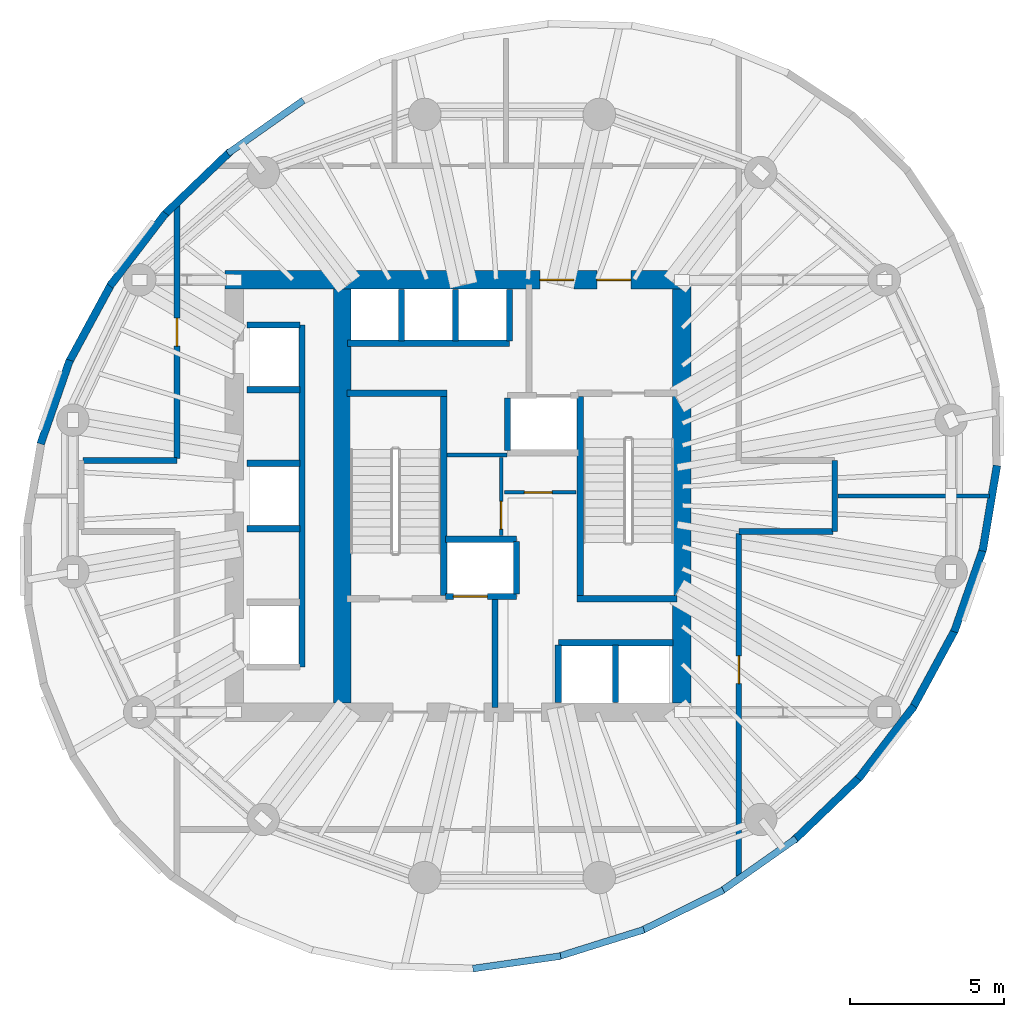
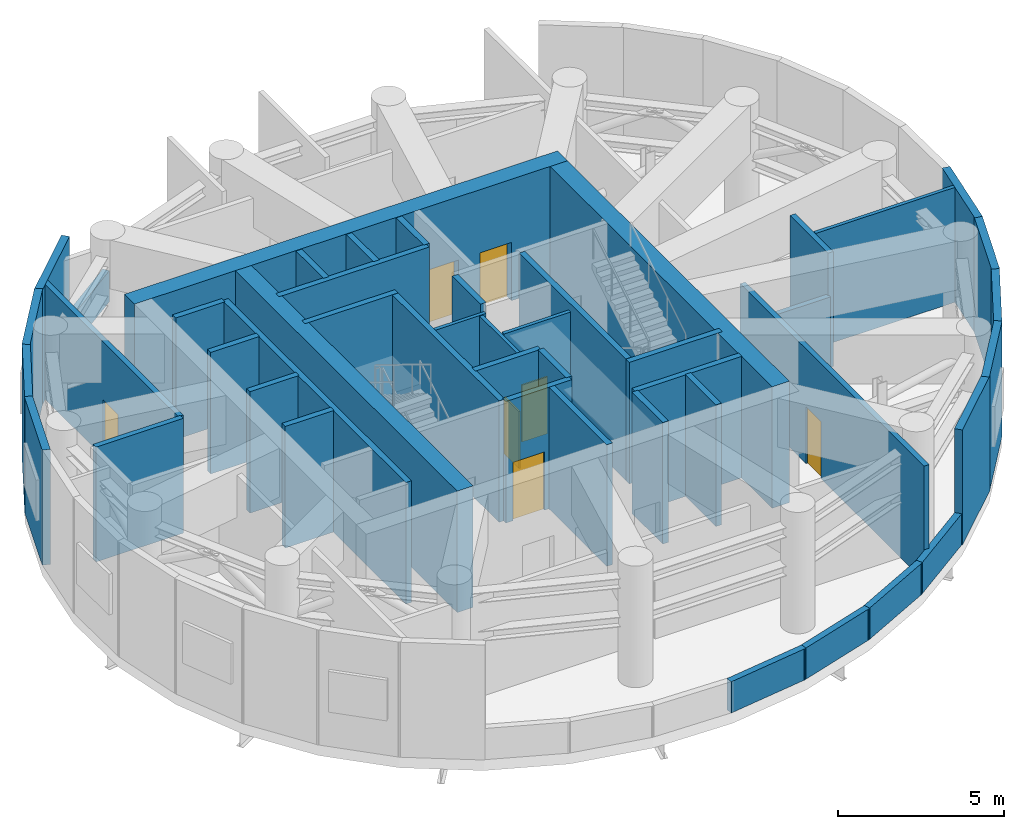
# One storey, part 5 of 8: 47 walls, 7 doors, 7 openings.
"""IFC4 building model written with IfcOpenShell, lengths in metres."""

from ifc_helpers import new_model, si_unit, direction, frame, frame_2d, origin, place, context, subcontext, project, spatial, rectangle, extrude, material, layer, layer_set, type_object, element, fill, save


model = new_model("IFC4")

# Units and contexts
model_context = context("Model", 3, precision=1e-05, world=origin(), true_north=direction((0.0, 1.0)))
body_context = subcontext(model_context, "Body", "Model", "MODEL_VIEW")
ifc_project = project(units=[si_unit("LENGTHUNIT", "METRE"), si_unit("AREAUNIT", "SQUARE_METRE"), si_unit("VOLUMEUNIT", "CUBIC_METRE"), si_unit("PLANEANGLEUNIT", "RADIAN"), si_unit("MASSUNIT", "GRAM", prefix="KILO")], contexts=[model_context])

# Site, building, storey
site_placement = place(None, origin())
site = spatial("IfcSite", under=ifc_project, at=site_placement, CompositionType="ELEMENT")
building_placement = place(site_placement, origin())
building = spatial("IfcBuilding", under=site, at=building_placement, Name="Veldorim Arch Residences", CompositionType="ELEMENT")
storey_placement = place(building_placement, frame((0.0, 0.0, 158.56005859375)))
storey = spatial("IfcBuildingStorey", under=building, at=storey_placement, Name="L47", CompositionType="ELEMENT", Elevation=158.56005859375)

# Wall, opening, door
ifc_material_1 = material(Name="Acoustic Gypsum Board", Category="gypsum")
ifc_layer_1 = layer(ifc_material_1, 0.125, Name="Acoustic Stud Room Partition Wall 125")
ifc_layer_set_1 = layer_set([ifc_layer_1], Name="Acoustic Gypsum Board")
wall_type_1 = type_object("IfcWallType", Name="Acoustic Stud Room Partition Wall 125", PredefinedType="PARTITIONING", material=ifc_layer_set_1)
wall_1_placement = place(storey_placement, frame((31.64990234375, 22.719970703125, 0.0), z_axis=(0.0, 0.0, 1.0), x_axis=(0.0, 1.0, 0.0)))
wall_1 = element("IfcWall", 1, at=wall_1_placement, inside=storey, type_object=wall_type_1, Name="L47 interior wall WL-CA-L47-1", PredefinedType="PARTITIONING", context=body_context, shape_type="SweptSolid", body=[
    extrude(rectangle(XDim=2.52001953125, YDim=0.125, at=frame_2d((1.260009765625, 0.0))), origin(), (0.0, 0.0, 1.0), 4.23486328125),
])
opening_1_placement = place(wall_1_placement, frame((0.2099609375, 0.0, 0.0)))
opening_1 = element("IfcOpeningElement", 2, at=opening_1_placement, cuts=wall_1, Name="Opening DR-SVC", PredefinedType="OPENING", context=body_context, shape_type="SweptSolid", body=[
    extrude(rectangle(XDim=0.89990234375, YDim=2.10009765625, at=frame_2d((0.449951171875, 1.050048828125))), frame((0.0, 0.072509765625, 0.0), z_axis=(0.0, -1.0, 0.0), x_axis=(1.0, 0.0, 0.0)), (0.0, 0.0, 1.0), 0.14501953125),
])
ifc_material_2 = material(Name="Fire-Rated Steel", Category="steel")
door_type_1 = type_object("IfcDoorType", Name="Riser, Shelter & Plant Room Rated Steel Door 900x2100", OperationType="SINGLE_SWING_LEFT", PredefinedType="DOOR", material=ifc_material_2)
door_1_placement = place(opening_1_placement, origin())
door_1 = element("IfcDoor", 3, at=door_1_placement, inside=storey, type_object=door_type_1, Name="L47 interior door DR-L47-CA1", OperationType="SINGLE_SWING_LEFT", OverallHeight=2.10009765625, OverallWidth=0.89990234375, PredefinedType="DOOR", context=body_context, shape_type="SweptSolid", body=[
    extrude(rectangle(XDim=0.89990234375, YDim=2.10009765625, at=frame_2d((0.449951171875, 1.050048828125))), frame((0.0, 0.02490234375, 0.0), z_axis=(0.0, -1.0, 0.0), x_axis=(1.0, 0.0, 0.0)), (0.0, 0.0, 1.0), 0.050048828125),
])
fill(opening_1, door_1)

wall_2_placement = place(storey_placement, frame((31.760009765625, 24.1201171875, 0.0), z_axis=(0.0, 0.0, 1.0), x_axis=(1.0, 0.0, 0.0)))
wall_2 = element("IfcWall", 4, at=wall_2_placement, inside=storey, type_object=wall_type_1, Name="L47 interior wall WL-CA-L47-2", PredefinedType="PARTITIONING", context=body_context, shape_type="SweptSolid", body=[
    extrude(rectangle(XDim=2.320068359375, YDim=0.125, at=frame_2d((1.16015625, 0.0))), origin(), (0.0, 0.0, 1.0), 4.23486328125),
])
opening_2_placement = place(wall_2_placement, frame((0.639892578125, 0.0, 0.0)))
opening_2 = element("IfcOpeningElement", 5, at=opening_2_placement, cuts=wall_2, Name="Opening DR-SVC", PredefinedType="OPENING", context=body_context, shape_type="SweptSolid", body=[
    extrude(rectangle(XDim=0.89990234375, YDim=2.10009765625, at=frame_2d((0.449951171875, 1.050048828125))), frame((0.0, 0.072509765625, 0.0), z_axis=(0.0, -1.0, 0.0), x_axis=(1.0, 0.0, 0.0)), (0.0, 0.0, 1.0), 0.14501953125),
])
door_2_placement = place(opening_2_placement, origin())
door_2 = element("IfcDoor", 6, at=door_2_placement, inside=storey, type_object=door_type_1, Name="L47 interior door DR-L47-CA2", OperationType="SINGLE_SWING_RIGHT", OverallHeight=2.10009765625, OverallWidth=0.89990234375, PredefinedType="DOOR", context=body_context, shape_type="SweptSolid", body=[
    extrude(rectangle(XDim=0.89990234375, YDim=2.10009765625, at=frame_2d((0.449951171875, 1.050048828125))), frame((0.0, 0.02490234375, 0.0), z_axis=(0.0, -1.0, 0.0), x_axis=(1.0, 0.0, 0.0)), (0.0, 0.0, 1.0), 0.050048828125),
])
fill(opening_2, door_2)

# Walls
wall_3_placement = place(storey_placement, frame((29.889892578125, 25.330078125, 0.0), z_axis=(0.0, 0.0, 1.0), x_axis=(1.0, 0.0, 0.0)))
element("IfcWall", 7, at=wall_3_placement, inside=storey, type_object=wall_type_1, Name="L47 interior wall WL-CA-L47-N", PredefinedType="PARTITIONING", context=body_context, shape_type="SweptSolid", body=[
    extrude(rectangle(XDim=1.940185546875, YDim=0.125, at=frame_2d((0.97021484375, 0.0))), origin(), (0.0, 0.0, 1.0), 4.23486328125),
])
wall_4_placement = place(storey_placement, frame((42.550048828125, 24.0, 0.0), z_axis=(0.0, 0.0, 1.0), x_axis=(1.0, 0.0, 0.0)))
element("IfcWall", 8, at=wall_4_placement, inside=storey, type_object=wall_type_1, Name="L47 interior wall WL-PLT-L47-016", PredefinedType="PARTITIONING", context=body_context, shape_type="SweptSolid", body=[
    extrude(rectangle(XDim=4.919921875, YDim=0.125, at=frame_2d((2.4599609375, 0.0))), origin(), (0.0, 0.0, 1.0), 4.23486328125),
])
ifc_material_3 = material(Name="Lightweight Masonry Block & Gypsum", Category="masonry")
ifc_layer_2 = layer(ifc_material_3, 0.179931640625, Name="Compartment & Corridor Fire-Rated Party Wall 180")
ifc_layer_set_2 = layer_set([ifc_layer_2], Name="Lightweight Masonry Block & Gypsum")
wall_type_2 = type_object("IfcWallType", Name="Compartment & Corridor Fire-Rated Party Wall 180", PredefinedType="PARTITIONING", material=ifc_layer_set_2)
wall_5_placement = place(storey_placement, frame((18.110107421875, 25.14990234375, 0.0), z_axis=(0.0, 0.0, 1.0), x_axis=(1.0, 0.0, 0.0)))
element("IfcWall", 9, at=wall_5_placement, inside=storey, type_object=wall_type_2, Name="L47 interior wall WL-PLT-L47-006", PredefinedType="PARTITIONING", context=body_context, shape_type="SweptSolid", body=[
    extrude(rectangle(XDim=3.039794921875, YDim=0.179931640625, at=frame_2d((1.52001953125, 0.0))), origin(), (0.0, 0.0, 1.0), 4.23486328125),
])

# Wall, opening, door
wall_6_placement = place(storey_placement, frame((21.14990234375, 25.2099609375, 0.0), z_axis=(0.0, 0.0, 1.0), x_axis=(0.0, 1.0, 0.0)))
wall_6 = element("IfcWall", 10, at=wall_6_placement, inside=storey, type_object=wall_type_2, Name="L47 interior wall WL-PLT-L47-007", PredefinedType="PARTITIONING", context=body_context, shape_type="SweptSolid", body=[
    extrude(rectangle(XDim=8.194580078125, YDim=0.179931640625, at=frame_2d((4.09716796875, 0.0))), origin(), (0.0, 0.0, 1.0), 4.23486328125),
])
opening_3_placement = place(wall_6_placement, frame((3.647216796875, 0.0, 0.0)))
opening_3 = element("IfcOpeningElement", 11, at=opening_3_placement, cuts=wall_6, Name="Opening DR-SVC", PredefinedType="OPENING", context=body_context, shape_type="SweptSolid", body=[
    extrude(rectangle(XDim=0.89990234375, YDim=2.10009765625, at=frame_2d((0.449951171875, 1.050048828125))), frame((0.0, 0.099853515625, 0.0), z_axis=(0.0, -1.0, 0.0), x_axis=(1.0, 0.0, 0.0)), (0.0, 0.0, 1.0), 0.199951171875),
])
door_3_placement = place(opening_3_placement, origin())
door_3 = element("IfcDoor", 12, at=door_3_placement, inside=storey, type_object=door_type_1, Name="L47 interior door DR-PLT-L47-006", OperationType="SINGLE_SWING_RIGHT", OverallHeight=2.10009765625, OverallWidth=0.89990234375, PredefinedType="DOOR", context=body_context, shape_type="SweptSolid", body=[
    extrude(rectangle(XDim=0.89990234375, YDim=2.10009765625, at=frame_2d((0.449951171875, 1.050048828125))), frame((0.0, 0.02490234375, 0.0), z_axis=(0.0, -1.0, 0.0), x_axis=(1.0, 0.0, 0.0)), (0.0, 0.0, 1.0), 0.050048828125),
])
fill(opening_3, door_3)

# Walls
wall_7_placement = place(storey_placement, frame((42.449951171875, 25.14990234375, 0.0), z_axis=(0.0, 0.0, 1.0), x_axis=(0.0, -1.0, 0.0)))
element("IfcWall", 13, at=wall_7_placement, inside=storey, type_object=wall_type_2, Name="L47 interior wall WL-PLT-L47-008", PredefinedType="PARTITIONING", context=body_context, shape_type="SweptSolid", body=[
    extrude(rectangle(XDim=2.2998046875, YDim=0.179931640625, at=frame_2d((1.14990234375, 0.0))), origin(), (0.0, 0.0, 1.0), 4.23486328125),
])
wall_8_placement = place(storey_placement, frame((42.389892578125, 22.85009765625, 0.0), z_axis=(0.0, 0.0, 1.0), x_axis=(-1.0, 0.0, 0.0)))
element("IfcWall", 14, at=wall_8_placement, inside=storey, type_object=wall_type_2, Name="L47 interior wall WL-PLT-L47-009", PredefinedType="PARTITIONING", context=body_context, shape_type="SweptSolid", body=[
    extrude(rectangle(XDim=3.039794921875, YDim=0.179931640625, at=frame_2d((1.52001953125, 0.0))), origin(), (0.0, 0.0, 1.0), 2.66796875),
])

# Wall, opening, door
wall_9_placement = place(storey_placement, frame((39.35009765625, 22.7900390625, 0.0), z_axis=(0.0, 0.0, 1.0), x_axis=(0.0, -1.0, 0.0)))
wall_9 = element("IfcWall", 15, at=wall_9_placement, inside=storey, type_object=wall_type_2, Name="L47 interior wall WL-PLT-L47-010", PredefinedType="PARTITIONING", context=body_context, shape_type="SweptSolid", body=[
    extrude(rectangle(XDim=11.101318359375, YDim=0.179931640625, at=frame_2d((5.55078125, 0.0))), origin(), (0.0, 0.0, 1.0), 4.23486328125),
])
opening_4_placement = place(wall_9_placement, frame((3.965087890625, 0.0, 0.0)))
opening_4 = element("IfcOpeningElement", 16, at=opening_4_placement, cuts=wall_9, Name="Opening DR-SVC", PredefinedType="OPENING", context=body_context, shape_type="SweptSolid", body=[
    extrude(rectangle(XDim=0.89990234375, YDim=2.10009765625, at=frame_2d((0.449951171875, 1.050048828125))), frame((0.0, 0.099853515625, 0.0), z_axis=(0.0, -1.0, 0.0), x_axis=(1.0, 0.0, 0.0)), (0.0, 0.0, 1.0), 0.199951171875),
])
door_4_placement = place(opening_4_placement, origin())
door_4 = element("IfcDoor", 17, at=door_4_placement, inside=storey, type_object=door_type_1, Name="L47 interior door DR-PLT-L47-007", OperationType="SINGLE_SWING_LEFT", OverallHeight=2.10009765625, OverallWidth=0.89990234375, PredefinedType="DOOR", context=body_context, shape_type="SweptSolid", body=[
    extrude(rectangle(XDim=0.89990234375, YDim=2.10009765625, at=frame_2d((0.449951171875, 1.050048828125))), frame((0.0, 0.02490234375, 0.0), z_axis=(0.0, -1.0, 0.0), x_axis=(1.0, 0.0, 0.0)), (0.0, 0.0, 1.0), 0.050048828125),
])
fill(opening_4, door_4)

# Walls
ifc_material_4 = material(Name="Concrete C50/60", Category="concrete")
ifc_layer_3 = layer(ifc_material_4, 0.199951171875, Name="Core Stair & Lift Shaft Enclosure Wall 200")
ifc_layer_set_3 = layer_set([ifc_layer_3], Name="Concrete C50/60")
wall_type_3 = type_object("IfcWallType", Name="Core Stair & Lift Shaft Enclosure Wall 200", PredefinedType="SHEAR", material=ifc_layer_set_3)
wall_10_placement = place(storey_placement, frame((29.7900390625, 20.780029296875, 0.0), z_axis=(0.0, 0.0, 1.0), x_axis=(0.0, 1.0, 0.0)))
element("IfcWall", 18, at=wall_10_placement, inside=storey, type_object=wall_type_3, Name="L47 shaft wall WL-SHF-L47-ST1-E", PredefinedType="SHEAR", context=body_context, shape_type="SweptSolid", body=[
    extrude(rectangle(XDim=6.43994140625, YDim=0.199951171875, at=frame_2d((3.219970703125, 0.0))), origin(), (0.0, 0.0, 1.0), 4.47998046875),
])
wall_11_placement = place(storey_placement, frame((26.64990234375, 27.330078125, 0.0), z_axis=(0.0, 0.0, 1.0), x_axis=(1.0, 0.0, 0.0)))
element("IfcWall", 19, at=wall_11_placement, inside=storey, type_object=wall_type_3, Name="L47 shaft wall WL-SHF-L47-ST1-N", PredefinedType="SHEAR", context=body_context, shape_type="SweptSolid", body=[
    extrude(rectangle(XDim=3.239990234375, YDim=0.199951171875, at=frame_2d((1.6201171875, 0.0))), origin(), (0.0, 0.0, 1.0), 4.47998046875),
])
wall_12_placement = place(storey_placement, frame((34.2099609375, 20.780029296875, 0.0), z_axis=(0.0, 0.0, 1.0), x_axis=(0.0, 1.0, 0.0)))
element("IfcWall", 20, at=wall_12_placement, inside=storey, type_object=wall_type_3, Name="L47 shaft wall WL-SHF-L47-ST2-W", PredefinedType="SHEAR", context=body_context, shape_type="SweptSolid", body=[
    extrude(rectangle(XDim=6.43994140625, YDim=0.199951171875, at=frame_2d((3.219970703125, 0.0))), origin(), (0.0, 0.0, 1.0), 4.47998046875),
])
wall_13_placement = place(storey_placement, frame((34.110107421875, 20.669921875, 0.0), z_axis=(0.0, 0.0, 1.0), x_axis=(1.0, 0.0, 0.0)))
element("IfcWall", 21, at=wall_13_placement, inside=storey, type_object=wall_type_3, Name="L47 shaft wall WL-SHF-L47-ST2-S", PredefinedType="SHEAR", context=body_context, shape_type="SweptSolid", body=[
    extrude(rectangle(XDim=3.239990234375, YDim=0.199951171875, at=frame_2d((1.6201171875, 0.0))), origin(), (0.0, 0.0, 1.0), 4.47998046875),
])
wall_14_placement = place(storey_placement, frame((31.449951171875, 17.14990234375, 0.0), z_axis=(0.0, 0.0, 1.0), x_axis=(0.0, 1.0, 0.0)))
element("IfcWall", 22, at=wall_14_placement, inside=storey, type_object=wall_type_3, Name="L47 shaft wall WL-FFL1-L47-E", PredefinedType="SHEAR", context=body_context, shape_type="SweptSolid", body=[
    extrude(rectangle(XDim=3.5, YDim=0.199951171875, at=frame_2d((1.75, 0.0))), origin(), (0.0, 0.0, 1.0), 4.47998046875),
])

# Wall, opening, door
wall_15_placement = place(storey_placement, frame((29.85009765625, 20.75, 0.0), z_axis=(0.0, 0.0, 1.0), x_axis=(1.0, 0.0, 0.0)))
wall_15 = element("IfcWall", 23, at=wall_15_placement, inside=storey, type_object=wall_type_3, Name="L47 shaft wall WL-FL01-L47-S", PredefinedType="SHEAR", context=body_context, shape_type="SweptSolid", body=[
    extrude(rectangle(XDim=2.2998046875, YDim=0.199951171875, at=frame_2d((1.14990234375, 0.0))), origin(), (0.0, 0.0, 1.0), 4.47998046875),
])
opening_5_placement = place(wall_15_placement, frame((0.25, 0.0, 0.0)))
opening_5 = element("IfcOpeningElement", 24, at=opening_5_placement, cuts=wall_15, Name="Opening LD-FF", PredefinedType="OPENING", context=body_context, shape_type="SweptSolid", body=[
    extrude(rectangle(XDim=1.10009765625, YDim=2.14990234375, at=frame_2d((0.550048828125, 1.074951171875))), frame((0.0, 0.10986328125, 0.0), z_axis=(0.0, -1.0, 0.0), x_axis=(1.0, 0.0, 0.0)), (0.0, 0.0, 1.0), 0.219970703125),
])
ifc_material_5 = material(Name="Stainless Steel", Category="steel")
door_type_2 = type_object("IfcDoorType", Name="Firefighting Lift Bi-Parting Sliding Landing Door 1100x2150", OperationType="DOUBLE_DOOR_SLIDING", PredefinedType="DOOR", material=ifc_material_5)
door_5_placement = place(opening_5_placement, origin())
door_5 = element("IfcDoor", 25, at=door_5_placement, inside=storey, type_object=door_type_2, Name="L47 lift landing door LD-L47-FL01", OperationType="DOUBLE_DOOR_SLIDING", OverallHeight=2.14990234375, OverallWidth=1.10009765625, PredefinedType="DOOR", context=body_context, shape_type="SweptSolid", body=[
    extrude(rectangle(XDim=1.10009765625, YDim=2.14990234375, at=frame_2d((0.550048828125, 1.074951171875))), frame((0.0, 0.02490234375, 0.0), z_axis=(0.0, -1.0, 0.0), x_axis=(1.0, 0.0, 0.0)), (0.0, 0.0, 1.0), 0.050048828125),
])
fill(opening_5, door_5)

# Walls
wall_16_placement = place(storey_placement, frame((29.85009765625, 22.60009765625, 0.0), z_axis=(0.0, 0.0, 1.0), x_axis=(1.0, 0.0, 0.0)))
element("IfcWall", 26, at=wall_16_placement, inside=storey, type_object=wall_type_3, Name="L47 shaft wall WL-FL01-L47-N", PredefinedType="SHEAR", context=body_context, shape_type="SweptSolid", body=[
    extrude(rectangle(XDim=2.2998046875, YDim=0.199951171875, at=frame_2d((1.14990234375, 0.0))), origin(), (0.0, 0.0, 1.0), 4.47998046875),
])
for number, where, z_axis, x_axis, name in (
    (27, (32.14990234375, 20.820068359375, 0.0), (0.0, 0.0, 1.0), (0.0, 1.0, 0.0), "L47 shaft wall WL-FL01-L47-E"),
    (28, (31.85009765625, 25.469970703125, 0.0), (0.0, 0.0, 1.0), (0.0, 1.0, 0.0), "L47 shaft wall WL-FL02-L47-W"),
):
    element("IfcWall", number, at=place(storey_placement, frame(where, z_axis=z_axis, x_axis=x_axis)), inside=storey, type_object=wall_type_3, Name=name, PredefinedType="SHEAR", context=body_context, shape_type="SweptSolid", body=[
        extrude(rectangle(XDim=1.7099609375, YDim=0.199951171875, at=frame_2d((0.85498046875, 0.0))), origin(), (0.0, 0.0, 1.0), 4.47998046875),
    ])
wall_17_placement = place(storey_placement, frame((25.199951171875, 18.4599609375, 0.0), z_axis=(0.0, 0.0, 1.0), x_axis=(0.0, 1.0, 0.0)))
element("IfcWall", 29, at=wall_17_placement, inside=storey, type_object=wall_type_3, Name="L47 shaft wall WL-B2-L47-E", PredefinedType="SHEAR", context=body_context, shape_type="SweptSolid", body=[
    extrude(rectangle(XDim=11.080078125, YDim=0.199951171875, at=frame_2d((5.5400390625, 0.0))), origin(), (0.0, 0.0, 1.0), 4.47998046875),
])
for number, where, z_axis, x_axis, name in (
    (30, (23.419921875, 29.5400390625, 0.0), (0.0, 0.0, 1.0), (1.0, 0.0, 0.0), "L47 shaft wall WL-B2-L47-N"),
    (31, (23.419921875, 22.93994140625, 0.0), (0.0, 0.0, 1.0), (1.0, 0.0, 0.0), "L47 shaft wall WL-B2-L47-D1B"),
    (32, (23.419921875, 25.06005859375, 0.0), (0.0, 0.0, 1.0), (1.0, 0.0, 0.0), "L47 shaft wall WL-B2-L47-D2A"),
    (33, (23.419921875, 27.43994140625, 0.0), (0.0, 0.0, 1.0), (1.0, 0.0, 0.0), "L47 shaft wall WL-B2-L47-D2B"),
):
    element("IfcWall", number, at=place(storey_placement, frame(where, z_axis=z_axis, x_axis=x_axis)), inside=storey, type_object=wall_type_3, Name=name, PredefinedType="SHEAR", context=body_context, shape_type="SweptSolid", body=[
        extrude(rectangle(XDim=1.7099609375, YDim=0.199951171875, at=frame_2d((0.85498046875, 0.0))), origin(), (0.0, 0.0, 1.0), 4.47998046875),
    ])
wall_18_placement = place(storey_placement, frame((26.679931640625, 28.949951171875, 0.0), z_axis=(0.0, 0.0, 1.0), x_axis=(1.0, 0.0, 0.0)))
element("IfcWall", 34, at=wall_18_placement, inside=storey, type_object=wall_type_3, Name="L47 shaft wall WL-B3-L47-S", PredefinedType="SHEAR", context=body_context, shape_type="SweptSolid", body=[
    extrude(rectangle(XDim=5.239990234375, YDim=0.199951171875, at=frame_2d((2.6201171875, 0.0))), origin(), (0.0, 0.0, 1.0), 4.47998046875),
])
for number, where, z_axis, x_axis, name in (
    (35, (31.919921875, 29.02001953125, 0.0), (0.0, 0.0, 1.0), (0.0, 1.0, 0.0), "L47 shaft wall WL-B3-L47-E"),
    (36, (28.425048828125, 29.02001953125, 0.0), (0.0, 0.0, 1.0), (0.0, 1.0, 0.0), "L47 shaft wall WL-B3-L47-D1"),
    (37, (30.175048828125, 29.02001953125, 0.0), (0.0, 0.0, 1.0), (0.0, 1.0, 0.0), "L47 shaft wall WL-B3-L47-D2"),
):
    element("IfcWall", number, at=place(storey_placement, frame(where, z_axis=z_axis, x_axis=x_axis)), inside=storey, type_object=wall_type_3, Name=name, PredefinedType="SHEAR", context=body_context, shape_type="SweptSolid", body=[
        extrude(rectangle(XDim=1.659912109375, YDim=0.199951171875, at=frame_2d((0.830078125, 0.0))), origin(), (0.0, 0.0, 1.0), 4.47998046875),
    ])
wall_19_placement = place(storey_placement, frame((33.5, 19.25, 0.0), z_axis=(0.0, 0.0, 1.0), x_axis=(1.0, 0.0, 0.0)))
element("IfcWall", 38, at=wall_19_placement, inside=storey, type_object=wall_type_3, Name="L47 shaft wall WL-OL-L47-N", PredefinedType="SHEAR", context=body_context, shape_type="SweptSolid", body=[
    extrude(rectangle(XDim=3.719970703125, YDim=0.199951171875, at=frame_2d((1.85986328125, 0.0))), origin(), (0.0, 0.0, 1.0), 4.47998046875),
])
for number, where, z_axis, x_axis, name in (
    (39, (33.5, 17.320068359375, 0.0), (0.0, 0.0, 1.0), (0.0, 1.0, 0.0), "L47 shaft wall WL-OL-L47-W"),
    (40, (35.35009765625, 17.320068359375, 0.0), (0.0, 0.0, 1.0), (0.0, 1.0, 0.0), "L47 shaft wall WL-OL-L47-D1"),
):
    element("IfcWall", number, at=place(storey_placement, frame(where, z_axis=z_axis, x_axis=x_axis)), inside=storey, type_object=wall_type_3, Name=name, PredefinedType="SHEAR", context=body_context, shape_type="SweptSolid", body=[
        extrude(rectangle(XDim=1.85986328125, YDim=0.199951171875, at=frame_2d((0.929931640625, 0.0))), origin(), (0.0, 0.0, 1.0), 4.47998046875),
    ])

# Wall, openings, doors
ifc_material_6 = material(Name="Concrete C50/60", Category="concrete")
ifc_layer_4 = layer(ifc_material_6, 0.60009765625, Name="Mid-Upper Central Core Shear Wall 600")
ifc_layer_set_4 = layer_set([ifc_layer_4], Name="Concrete C50/60")
wall_type_4 = type_object("IfcWallType", Name="Mid-Upper Central Core Shear Wall 600", PredefinedType="SHEAR", material=ifc_layer_set_4)
wall_20_placement = place(storey_placement, frame((22.699951171875, 31.0, 0.0), z_axis=(0.0, 0.0, 1.0), x_axis=(1.0, 0.0, 0.0)))
wall_20 = element("IfcWall", 41, at=wall_20_placement, inside=storey, type_object=wall_type_4, Name="L47 central core north shear wall", PredefinedType="SHEAR", context=body_context, shape_type="SweptSolid", body=[
    extrude(rectangle(XDim=15.10009765625, YDim=0.60009765625, at=frame_2d((7.550048828125, 0.0))), origin(), (0.0, 0.0, 1.0), 4.47998046875),
])
opening_6_placement = place(wall_20_placement, frame((10.199951171875, 0.0, 0.0)))
opening_6 = element("IfcOpeningElement", 42, at=opening_6_placement, cuts=wall_20, Name="Opening DR-FFL", PredefinedType="OPENING", context=body_context, shape_type="SweptSolid", body=[
    extrude(rectangle(XDim=1.10009765625, YDim=2.14990234375, at=frame_2d((0.550048828125, 1.074951171875))), frame((0.0, 0.31005859375, 0.0), z_axis=(0.0, -1.0, 0.0), x_axis=(1.0, 0.0, 0.0)), (0.0, 0.0, 1.0), 0.6201171875),
])
opening_7_placement = place(wall_20_placement, frame((12.050048828125, 0.0, 0.0)))
opening_7 = element("IfcOpeningElement", 43, at=opening_7_placement, cuts=wall_20, Name="Opening DR-FFL", PredefinedType="OPENING", context=body_context, shape_type="SweptSolid", body=[
    extrude(rectangle(XDim=1.10009765625, YDim=2.14990234375, at=frame_2d((0.550048828125, 1.074951171875))), frame((0.0, 0.31005859375, 0.0), z_axis=(0.0, -1.0, 0.0), x_axis=(1.0, 0.0, 0.0)), (0.0, 0.0, 1.0), 0.6201171875),
])
ifc_material_7 = material(Name="Fire-Rated Steel & Vision Glass", Category="steel")
door_type_3 = type_object("IfcDoorType", Name="Firefighting Lobby Smoke-Stop Fire Door 1100x2150", OperationType="SINGLE_SWING_LEFT", PredefinedType="DOOR", material=ifc_material_7)
door_6_placement = place(opening_6_placement, origin())
door_6 = element("IfcDoor", 44, at=door_6_placement, inside=storey, type_object=door_type_3, Name="L47 interior door DR-L47-FFL2", OperationType="SINGLE_SWING_RIGHT", OverallHeight=2.14990234375, OverallWidth=1.10009765625, PredefinedType="DOOR", context=body_context, shape_type="SweptSolid", body=[
    extrude(rectangle(XDim=1.10009765625, YDim=2.14990234375, at=frame_2d((0.550048828125, 1.074951171875))), frame((0.0, 0.02490234375, 0.0), z_axis=(0.0, -1.0, 0.0), x_axis=(1.0, 0.0, 0.0)), (0.0, 0.0, 1.0), 0.050048828125),
])
fill(opening_6, door_6)
door_7_placement = place(opening_7_placement, origin())
door_7 = element("IfcDoor", 45, at=door_7_placement, inside=storey, type_object=door_type_3, Name="L47 interior door DR-L47-REF2", OperationType="SINGLE_SWING_LEFT", OverallHeight=2.14990234375, OverallWidth=1.10009765625, PredefinedType="DOOR", context=body_context, shape_type="SweptSolid", body=[
    extrude(rectangle(XDim=1.10009765625, YDim=2.14990234375, at=frame_2d((0.550048828125, 1.074951171875))), frame((0.0, 0.02490234375, 0.0), z_axis=(0.0, -1.0, 0.0), x_axis=(1.0, 0.0, 0.0)), (0.0, 0.0, 1.0), 0.050048828125),
])
fill(opening_7, door_7)

# Walls
wall_21_placement = place(storey_placement, frame((37.5, 17.300048828125, 0.0), z_axis=(0.0, 0.0, 1.0), x_axis=(0.0, 1.0, 0.0)))
element("IfcWall", 46, at=wall_21_placement, inside=storey, type_object=wall_type_4, Name="L47 central core east shear wall", PredefinedType="SHEAR", context=body_context, shape_type="SweptSolid", body=[
    extrude(rectangle(XDim=13.39990234375, YDim=0.60009765625, at=frame_2d((6.699951171875, 0.0))), origin(), (0.0, 0.0, 1.0), 4.47998046875),
])
ifc_material_8 = material(Name="Precast concrete C40/50", Category="concrete")
ifc_layer_5 = layer(ifc_material_8, 0.219970703125, Name="Terrace & Refuge Perimeter Parapet Wall 220")
ifc_layer_set_5 = layer_set([ifc_layer_5], Name="Precast concrete C40/50")
wall_type_5 = type_object("IfcWallType", Name="Terrace & Refuge Perimeter Parapet Wall 220", PredefinedType="PARAPET", material=ifc_layer_set_5)
wall_22_placement = place(storey_placement, frame((22.798583984375, 35.09423828125, 0.0), z_axis=(0.0, 0.0, 1.0), x_axis=(0.817874769697, 0.575396264407, 0.0)))
element("IfcWall", 47, at=wall_22_placement, inside=storey, type_object=wall_type_5, Name="L47 fire refuge safety parapet 08", PredefinedType="PARAPET", context=body_context, shape_type="SweptSolid", body=[
    extrude(rectangle(XDim=2.98828125, YDim=0.219970703125, at=frame_2d((1.494140625, 0.0))), origin(), (0.0, 0.0, 1.0), 1.14990234375),
])
wall_23_placement = place(storey_placement, frame((33.57421875, 9.099853515625, 0.0), z_axis=(0.0, 0.0, 1.0), x_axis=(-0.989906941775, -0.141718900029, 0.0)))
element("IfcWall", 48, at=wall_23_placement, inside=storey, type_object=wall_type_5, Name="L47 fire refuge safety parapet 23", PredefinedType="PARAPET", context=body_context, shape_type="SweptSolid", body=[
    extrude(rectangle(XDim=2.871826171875, YDim=0.219970703125, at=frame_2d((1.43603515625, 0.0))), origin(), (0.0, 0.0, 1.0), 1.14990234375),
])
wall_24_placement = place(storey_placement, frame((36.27197265625, 9.9541015625, 0.0), z_axis=(0.0, 0.0, 1.0), x_axis=(-0.95419458776, -0.299186712089, 0.0)))
element("IfcWall", 49, at=wall_24_placement, inside=storey, type_object=wall_type_5, Name="L47 fire refuge safety parapet 24", PredefinedType="PARAPET", context=body_context, shape_type="SweptSolid", body=[
    extrude(rectangle(XDim=2.927001953125, YDim=0.219970703125, at=frame_2d((1.46337890625, 0.0))), origin(), (0.0, 0.0, 1.0), 1.14990234375),
])
wall_25_placement = place(storey_placement, frame((38.84033203125, 11.235595703125, 0.0), z_axis=(0.0, 0.0, 1.0), x_axis=(-0.895985112276, -0.444084089536, 0.0)))
element("IfcWall", 50, at=wall_25_placement, inside=storey, type_object=wall_type_5, Name="L47 fire refuge safety parapet 25", PredefinedType="PARAPET", context=body_context, shape_type="SweptSolid", body=[
    extrude(rectangle(XDim=2.967041015625, YDim=0.219970703125, at=frame_2d((1.4833984375, 0.0))), origin(), (0.0, 0.0, 1.0), 1.14990234375),
])
wall_26_placement = place(storey_placement, frame((41.201416015625, 12.90576171875, 0.0), z_axis=(0.0, 0.0, 1.0), x_axis=(-0.817874769697, -0.575396264407, 0.0)))
element("IfcWall", 51, at=wall_26_placement, inside=storey, type_object=wall_type_5, Name="L47 fire refuge safety parapet 26", PredefinedType="PARAPET", context=body_context, shape_type="SweptSolid", body=[
    extrude(rectangle(XDim=2.98828125, YDim=0.219970703125, at=frame_2d((1.494140625, 0.0))), origin(), (0.0, 0.0, 1.0), 1.14990234375),
])
ifc_material_9 = material(Name="Precast concrete C40/50", Category="concrete")
ifc_layer_6 = layer(ifc_material_9, 0.25, Name="Tower Terracotta Spandrel & Pier Wall 250")
ifc_layer_set_6 = layer_set([ifc_layer_6], Name="Precast concrete C40/50")
wall_type_6 = type_object("IfcWallType", Name="Tower Terracotta Spandrel & Pier Wall 250", PredefinedType="SOLIDWALL", material=ifc_layer_set_6)
wall_27_placement = place(storey_placement, frame((20.71728515625, 33.086181640625, 0.0), z_axis=(0.0, 0.0, 1.0), x_axis=(0.721419973425, 0.692497813675, 0.0)))
element("IfcWall", 52, at=wall_27_placement, inside=storey, type_object=wall_type_6, Name="L47 outrigger plant enclosure wall 09", PredefinedType="SOLIDWALL", context=body_context, shape_type="SweptSolid", body=[
    extrude(rectangle(XDim=2.98828125, YDim=0.25, at=frame_2d((1.494140625, 0.0))), origin(), (0.0, 0.0, 1.0), 4.239990234375),
])
wall_28_placement = place(storey_placement, frame((18.979248046875, 30.80126953125, 0.0), z_axis=(0.0, 0.0, 1.0), x_axis=(0.607477593954, 0.794336813224, 0.0)))
element("IfcWall", 53, at=wall_28_placement, inside=storey, type_object=wall_type_6, Name="L47 outrigger plant enclosure wall 10", PredefinedType="SOLIDWALL", context=body_context, shape_type="SweptSolid", body=[
    extrude(rectangle(XDim=2.96728515625, YDim=0.25, at=frame_2d((1.483642578125, 0.0))), origin(), (0.0, 0.0, 1.0), 4.239990234375),
])
wall_29_placement = place(storey_placement, frame((17.6376953125, 28.30908203125, 0.0), z_axis=(0.0, 0.0, 1.0), x_axis=(0.476366446531, 0.879246841689, 0.0)))
element("IfcWall", 54, at=wall_29_placement, inside=storey, type_object=wall_type_6, Name="L47 outrigger plant enclosure wall 11", PredefinedType="SOLIDWALL", context=body_context, shape_type="SweptSolid", body=[
    extrude(rectangle(XDim=2.927001953125, YDim=0.25, at=frame_2d((1.46337890625, 0.0))), origin(), (0.0, 0.0, 1.0), 4.239990234375),
])
wall_30_placement = place(storey_placement, frame((16.733154296875, 25.686279296875, 0.0), z_axis=(0.0, 0.0, 1.0), x_axis=(0.328698694134, 0.944434840777, 0.0)))
element("IfcWall", 55, at=wall_30_placement, inside=storey, type_object=wall_type_6, Name="L47 outrigger plant enclosure wall 12", PredefinedType="SOLIDWALL", context=body_context, shape_type="SweptSolid", body=[
    extrude(rectangle(XDim=2.87158203125, YDim=0.25, at=frame_2d((1.435791015625, 0.0))), origin(), (0.0, 0.0, 1.0), 4.239990234375),
])
wall_31_placement = place(storey_placement, frame((43.28271484375, 14.913818359375, 0.0), z_axis=(0.0, 0.0, 1.0), x_axis=(-0.721419973425, -0.692497813675, 0.0)))
element("IfcWall", 56, at=wall_31_placement, inside=storey, type_object=wall_type_6, Name="L47 outrigger plant enclosure wall 27", PredefinedType="SOLIDWALL", context=body_context, shape_type="SweptSolid", body=[
    extrude(rectangle(XDim=2.98828125, YDim=0.25, at=frame_2d((1.494140625, 0.0))), origin(), (0.0, 0.0, 1.0), 4.239990234375),
])
wall_32_placement = place(storey_placement, frame((45.020751953125, 17.19873046875, 0.0), z_axis=(0.0, 0.0, 1.0), x_axis=(-0.607477593954, -0.794336813224, 0.0)))
element("IfcWall", 57, at=wall_32_placement, inside=storey, type_object=wall_type_6, Name="L47 outrigger plant enclosure wall 28", PredefinedType="SOLIDWALL", context=body_context, shape_type="SweptSolid", body=[
    extrude(rectangle(XDim=2.96728515625, YDim=0.25, at=frame_2d((1.483642578125, 0.0))), origin(), (0.0, 0.0, 1.0), 4.239990234375),
])
wall_33_placement = place(storey_placement, frame((46.3623046875, 19.69091796875, 0.0), z_axis=(0.0, 0.0, 1.0), x_axis=(-0.476366446531, -0.879246841689, 0.0)))
element("IfcWall", 58, at=wall_33_placement, inside=storey, type_object=wall_type_6, Name="L47 outrigger plant enclosure wall 29", PredefinedType="SOLIDWALL", context=body_context, shape_type="SweptSolid", body=[
    extrude(rectangle(XDim=2.927001953125, YDim=0.25, at=frame_2d((1.46337890625, 0.0))), origin(), (0.0, 0.0, 1.0), 4.239990234375),
])
wall_34_placement = place(storey_placement, frame((47.266845703125, 22.313720703125, 0.0), z_axis=(0.0, 0.0, 1.0), x_axis=(-0.328698694134, -0.944434840777, 0.0)))
element("IfcWall", 59, at=wall_34_placement, inside=storey, type_object=wall_type_6, Name="L47 outrigger plant enclosure wall 30", PredefinedType="SOLIDWALL", context=body_context, shape_type="SweptSolid", body=[
    extrude(rectangle(XDim=2.87158203125, YDim=0.25, at=frame_2d((1.435791015625, 0.0))), origin(), (0.0, 0.0, 1.0), 4.239990234375),
])
wall_35_placement = place(storey_placement, frame((47.70654296875, 24.987548828125, 0.0), z_axis=(0.0, 0.0, 1.0), x_axis=(-0.165301369928, -0.986243102435, 0.0)))
element("IfcWall", 60, at=wall_35_placement, inside=storey, type_object=wall_type_6, Name="L47 outrigger plant enclosure wall 31", PredefinedType="SOLIDWALL", context=body_context, shape_type="SweptSolid", body=[
    extrude(rectangle(XDim=2.8076171875, YDim=0.25, at=frame_2d((1.40380859375, 0.0))), origin(), (0.0, 0.0, 1.0), 4.239990234375),
])
ifc_material_10 = material(Name="Concrete C50/60", Category="concrete")
ifc_layer_7 = layer(ifc_material_10, 0.56005859375, Name="Upper Internal Core Shear Web Wall 560")
ifc_layer_set_7 = layer_set([ifc_layer_7], Name="Concrete C50/60")
wall_type_7 = type_object("IfcWallType", Name="Upper Internal Core Shear Web Wall 560", PredefinedType="SHEAR", material=ifc_layer_set_7)
wall_36_placement = place(storey_placement, frame((26.5, 17.300048828125, 0.0), z_axis=(0.0, 0.0, 1.0), x_axis=(0.0, 1.0, 0.0)))
element("IfcWall", 61, at=wall_36_placement, inside=storey, type_object=wall_type_7, Name="L47 core west internal shear web", PredefinedType="SHEAR", context=body_context, shape_type="SweptSolid", body=[
    extrude(rectangle(XDim=13.39990234375, YDim=0.56005859375, at=frame_2d((6.699951171875, 0.0))), origin(), (0.0, 0.0, 1.0), 4.47998046875),
])

save(model, "model.ifc")
